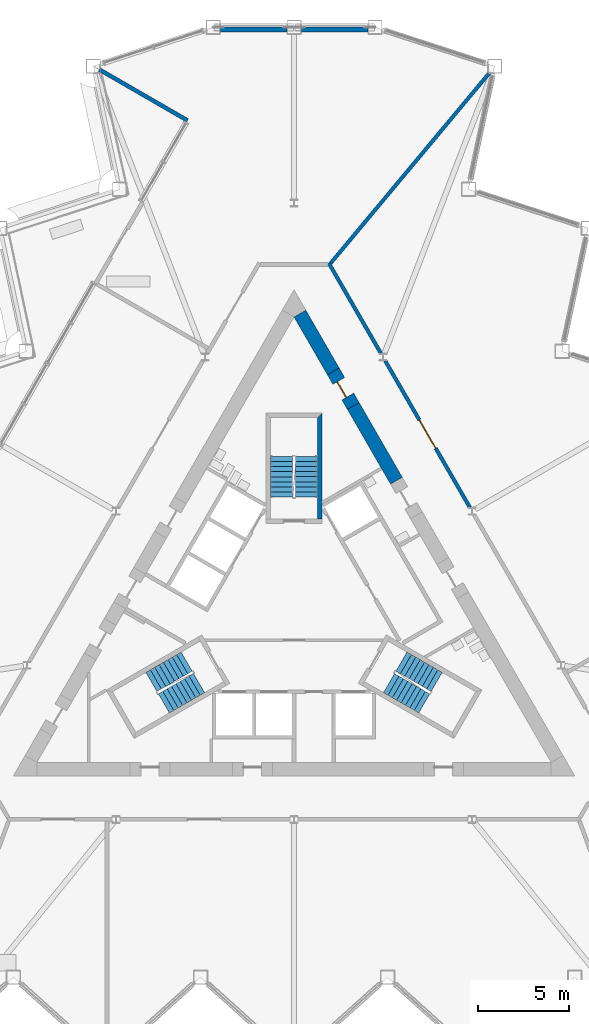
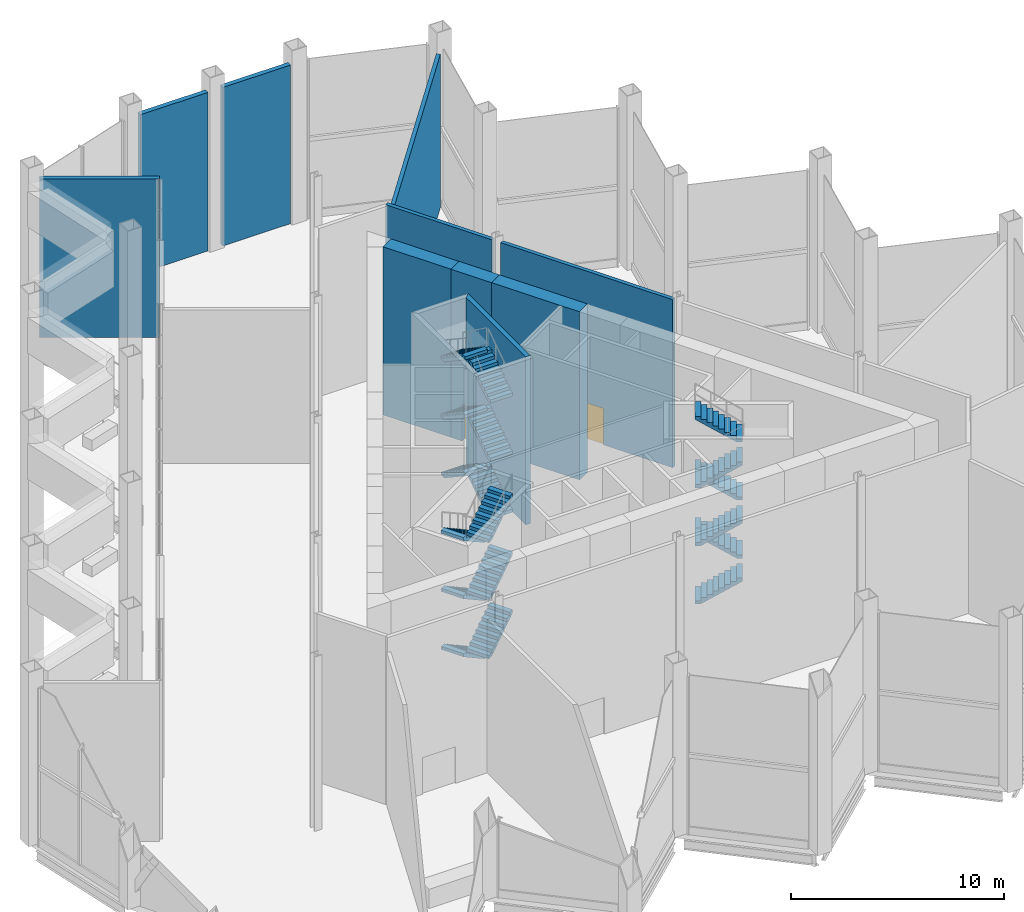
# One storey, part 11 of 18: 18 stair flights, 10 walls, 2 doors, 2 openings, 3 elements without a shape of their own.
"""IFC4 building model written with IfcOpenShell, lengths in metres."""

from ifc_helpers import new_model, si_unit, direction, frame, frame_2d, origin, place, context, subcontext, project, spatial, polyline, rectangle, outline, extrude, material, layer, layer_set, type_object, element, fill, aggregate, save


model = new_model("IFC4")

# Units and contexts
model_context = context("Model", 3, precision=1e-05, world=origin(), true_north=direction((0.0, 1.0)))
body_context = subcontext(model_context, "Body", "Model", "MODEL_VIEW")
ifc_project = project(units=[si_unit("LENGTHUNIT", "METRE"), si_unit("AREAUNIT", "SQUARE_METRE"), si_unit("VOLUMEUNIT", "CUBIC_METRE"), si_unit("PLANEANGLEUNIT", "RADIAN"), si_unit("MASSUNIT", "GRAM", prefix="KILO")], contexts=[model_context])

# Site, building, storey
site_placement = place(None, origin())
site = spatial("IfcSite", under=ifc_project, at=site_placement, CompositionType="ELEMENT")
building_placement = place(site_placement, origin())
building = spatial("IfcBuilding", under=site, at=building_placement, Name="Cormorant Prow Tower", CompositionType="ELEMENT")
storey_placement = place(building_placement, frame((0.0, 0.0, 216.0)))
storey = spatial("IfcBuildingStorey", under=building, at=storey_placement, Name="L48", CompositionType="ELEMENT", Elevation=216.0)

# Walls
ifc_material_1 = material(Name="Concrete 8000 psi", Category="concrete")
ifc_layer_1 = layer(ifc_material_1, 0.75)
ifc_layer_set_1 = layer_set([ifc_layer_1], Name="Concrete 8000 psi")
wall_type_1 = type_object("IfcWallType", Name="Core shear wall 750", PredefinedType="SHEAR", material=ifc_layer_set_1)
wall_1_placement = place(storey_placement, frame((5.654052734375, 7.354736328125, 0.0), z_axis=(0.0, 0.0, 1.0), x_axis=(-0.4999705729, 0.866042392862, 0.0)))
element("IfcWall", 1, at=wall_1_placement, inside=storey, type_object=wall_type_1, Name="Core wall", PredefinedType="SHEAR", context=body_context, shape_type="SweptSolid", body=[
    extrude(rectangle(XDim=4.769775390625, YDim=0.75, at=frame_2d((2.384765625, 0.0))), origin(), (0.0, 0.0, 1.0), 9.64990234375),
])
wall_2_placement = place(storey_placement, frame((2.169189453125, 13.390869140625, 0.0), z_axis=(0.0, 0.0, 1.0), x_axis=(-0.500018451642, 0.866014750462, 0.0)))
element("IfcWall", 2, at=wall_2_placement, inside=storey, type_object=wall_type_1, Name="Core wall", PredefinedType="SHEAR", context=body_context, shape_type="SweptSolid", body=[
    extrude(rectangle(XDim=3.688720703125, YDim=0.75, at=frame_2d((1.84423828125, 0.0))), origin(), (0.0, 0.0, 1.0), 9.64990234375),
])

# Wall, opening, door
wall_3_placement = place(storey_placement, frame((3.269287109375, 11.485595703125, 0.0), z_axis=(0.0, 0.0, 1.0), x_axis=(-0.50002983664, 0.866008176907, 0.0)))
wall_3 = element("IfcWall", 3, at=wall_3_placement, inside=storey, type_object=wall_type_1, Name="Core wall door panel", PredefinedType="SHEAR", context=body_context, shape_type="SweptSolid", body=[
    extrude(rectangle(XDim=2.199951171875, YDim=0.75, at=frame_2d((1.10009765625, 0.0))), origin(), (0.0, 0.0, 1.0), 9.64990234375),
])
opening_1_placement = place(wall_3_placement, frame((0.60009765625, 0.0, 0.0)))
opening_1 = element("IfcOpeningElement", 4, at=opening_1_placement, cuts=wall_3, Name="Opening L48-C20", PredefinedType="OPENING", context=body_context, shape_type="SweptSolid", body=[
    extrude(rectangle(XDim=1.0, YDim=2.10009765625, at=frame_2d((0.5, 1.050048828125))), frame((0.0, 0.385009765625, 0.0), z_axis=(0.0, -1.0, 0.0), x_axis=(1.0, 0.0, 0.0)), (0.0, 0.0, 1.0), 0.77001953125),
])
ifc_material_2 = material(Name="Painted steel", Category="steel")
door_type_1 = type_object("IfcDoorType", Name="Service door 1000x2100", OperationType="NOTDEFINED", PredefinedType="DOOR", material=ifc_material_2)
door_1_placement = place(opening_1_placement, origin())
door_1 = element("IfcDoor", 5, at=door_1_placement, inside=storey, type_object=door_type_1, Name="Core door, Toilets (women) L48", OperationType="SINGLE_SWING_LEFT", OverallHeight=2.10009765625, OverallWidth=1.0, PredefinedType="DOOR", context=body_context, shape_type="SweptSolid", body=[
    extrude(rectangle(XDim=1.0, YDim=2.10009765625, at=frame_2d((0.5, 1.050048828125))), frame((0.0, 0.1298828125, 0.0), z_axis=(0.0, -1.0, 0.0), x_axis=(1.0, 0.0, 0.0)), (0.0, 0.0, 1.0), 0.050048828125),
])
fill(opening_1, door_1)

ifc_material_3 = material(Name="Gypsum board corridor wall")
ifc_layer_2 = layer(ifc_material_3, 0.199951171875)
ifc_layer_set_2 = layer_set([ifc_layer_2], Name="Gypsum board corridor wall")
wall_type_2 = type_object("IfcWallType", Name="Corridor wall 200", PredefinedType="PARTITIONING", material=ifc_layer_set_2)
wall_4_placement = place(storey_placement, frame((5.03759765625, 13.972412109375, 0.0), z_axis=(0.0, 0.0, 1.0), x_axis=(0.50000393355, -0.866023132736, 0.0)))
wall_4 = element("IfcWall", 6, at=wall_4_placement, inside=storey, type_object=wall_type_2, Name="Corridor wall", PredefinedType="PARTITIONING", context=body_context, shape_type="SweptSolid", body=[
    extrude(rectangle(XDim=9.3349609375, YDim=0.199951171875, at=frame_2d((4.66748046875, 0.0))), origin(), (0.0, 0.0, 1.0), 9.64990234375),
])
opening_2_placement = place(wall_4_placement, frame((3.767578125, 0.0, 0.0)))
opening_2 = element("IfcOpeningElement", 7, at=opening_2_placement, cuts=wall_4, Name="Opening L48-F05", PredefinedType="OPENING", context=body_context, shape_type="SweptSolid", body=[
    extrude(rectangle(XDim=1.800048828125, YDim=2.10009765625, at=frame_2d((0.89990234375, 1.050048828125))), frame((0.0, 0.10986328125, 0.0), z_axis=(0.0, -1.0, 0.0), x_axis=(1.0, 0.0, 0.0)), (0.0, 0.0, 1.0), 0.219970703125),
])
ifc_material_4 = material(Name="Timber door leaf", Category="wood")
door_type_2 = type_object("IfcDoorType", Name="Double door 1800x2100", OperationType="DOUBLE_DOOR_SINGLE_SWING", PredefinedType="DOOR", material=ifc_material_4)
door_2_placement = place(opening_2_placement, origin())
door_2 = element("IfcDoor", 8, at=door_2_placement, inside=storey, type_object=door_type_2, Name="Executive suites door", OperationType="DOUBLE_DOOR_SINGLE_SWING", OverallHeight=2.10009765625, OverallWidth=1.800048828125, PredefinedType="DOOR", context=body_context, shape_type="SweptSolid", body=[
    extrude(rectangle(XDim=1.800048828125, YDim=2.10009765625, at=frame_2d((0.89990234375, 1.050048828125))), frame((0.0, 0.02490234375, 0.0), z_axis=(0.0, -1.0, 0.0), x_axis=(1.0, 0.0, 0.0)), (0.0, 0.0, 1.0), 0.050048828125),
])
fill(opening_2, door_2)

# Walls
wall_5_placement = place(storey_placement, frame((1.9130859375, 19.384521484375, 0.0), z_axis=(0.0, 0.0, 1.0), x_axis=(0.50000762079, -0.866021003874, 0.0)))
element("IfcWall", 9, at=wall_5_placement, inside=storey, type_object=wall_type_2, Name="Corridor wall", PredefinedType="PARTITIONING", context=body_context, shape_type="SweptSolid", body=[
    extrude(rectangle(XDim=5.755859375, YDim=0.199951171875, at=frame_2d((2.8779296875, 0.0))), origin(), (0.0, 0.0, 1.0), 9.64990234375),
])
ifc_material_5 = material(Name="Gypsum board demising wall")
ifc_layer_3 = layer(ifc_material_5, 0.199951171875)
ifc_layer_set_3 = layer_set([ifc_layer_3], Name="Gypsum board demising wall")
wall_type_3 = type_object("IfcWallType", Name="Demising wall 200", PredefinedType="PARTITIONING", material=ifc_layer_set_3)
wall_6_placement = place(storey_placement, frame((2.027099609375, 19.37451171875, 0.0), z_axis=(0.0, 0.0, 1.0), x_axis=(0.640645811519, 0.767836534806, 0.0)))
element("IfcWall", 10, at=wall_6_placement, inside=storey, type_object=wall_type_3, Name="Demising wall", PredefinedType="PARTITIONING", context=body_context, shape_type="SweptSolid", body=[
    extrude(rectangle(XDim=13.632080078125, YDim=0.199951171875, at=frame_2d((6.81591796875, 0.0))), origin(), (0.0, 0.0, 1.0), 8.80419921875),
])
ifc_material_6 = material(Name="Concrete 8000 psi", Category="concrete")
ifc_layer_4 = layer(ifc_material_6, 0.25)
ifc_layer_set_4 = layer_set([ifc_layer_4], Name="Concrete 8000 psi")
wall_type_4 = type_object("IfcWallType", Name="Stair wall 250", PredefinedType="SHEAR", material=ifc_layer_set_4)
wall_7_placement = place(storey_placement, origin())
element("IfcWall", 11, at=wall_7_placement, inside=storey, type_object=wall_type_4, Name="Stair ST3 enclosure wall (flank)", PredefinedType="SHEAR", context=body_context, shape_type="SweptSolid", body=[
    extrude(outline(polyline([(1.5439453125, 5.23681640625), (1.5439453125, 11.0869140625), (1.2939453125, 10.8369140625), (1.2939453125, 5.23681640625), (1.5439453125, 5.23681640625)])), origin(), (0.0, 0.0, 1.0), 9.64990234375),
])
ifc_material_7 = material(Name="Terracotta", Category="masonry")
ifc_layer_5 = layer(ifc_material_7, 0.25)
ifc_layer_set_5 = layer_set([ifc_layer_5], Name="Terracotta")
wall_type_5 = type_object("IfcWallType", Name="Terracotta bay wall 250", PredefinedType="SOLIDWALL", material=ifc_layer_set_5)
for number, where, z_axis, x_axis, name in (
    (12, (4.0703125, 32.2744140625, 0.0), (0.0, 0.0, 1.0), (-1.0, 0.0, 0.0), "Terracotta bay wall N00"),
    (13, (-0.39990234375, 32.2744140625, 0.0), (0.0, 0.0, 1.0), (-1.0, 0.0, 0.0), "Terracotta bay wall N01"),
):
    element("IfcWall", number, at=place(storey_placement, frame(where, z_axis=z_axis, x_axis=x_axis)), inside=storey, type_object=wall_type_5, Name=name, PredefinedType="SOLIDWALL", context=body_context, shape_type="SweptSolid", body=[
        extrude(rectangle(XDim=3.67041015625, YDim=0.25, at=frame_2d((1.835205078125, 0.0))), origin(), (0.0, 0.0, 1.0), 9.100830078125),
    ])
ifc_material_8 = material(Name="Terracotta", Category="masonry")
ifc_layer_6 = layer(ifc_material_8, 0.219970703125)
ifc_layer_set_6 = layer_set([ifc_layer_6], Name="Terracotta")
wall_type_6 = type_object("IfcWallType", Name="Terracotta loggia wall 220", PredefinedType="SOLIDWALL", material=ifc_layer_set_6)
wall_8_placement = place(storey_placement, frame((-10.7509765625, 30.06201171875, 0.0), z_axis=(0.0, 0.0, 1.0), x_axis=(0.866015577098, -0.500017019934, 0.0)))
element("IfcWall", 14, at=wall_8_placement, inside=storey, type_object=wall_type_6, Name="Terracotta loggia return WNW west", PredefinedType="SOLIDWALL", context=body_context, shape_type="SweptSolid", body=[
    extrude(rectangle(XDim=5.619873046875, YDim=0.219970703125, at=frame_2d((2.81005859375, 0.0))), origin(), (0.0, 0.0, 1.0), 9.100830078125),
])

# Stair, stair flights
ifc_material_9 = material(Name="Exit stair 54 risers")
stair_type = type_object("IfcStairType", Name="Exit stair 54 risers", PredefinedType="HALF_TURN_STAIR", material=ifc_material_9)
stair_1_placement = place(storey_placement, origin())
stair_1 = element("IfcStair", 15, at=stair_1_placement, inside=storey, type_object=stair_type, Name="L48 Exit stair ST1", PredefinedType="HALF_TURN_STAIR")
ifc_material_10 = material(Name="Concrete 5000 psi", Category="concrete")
stair_flight_type = type_object("IfcStairFlightType", Name="Stair flight 1219", PredefinedType="STRAIGHT", material=ifc_material_10)
stair_flight_1_placement = place(storey_placement, frame((-5.93310546875, -2.635009765625, 0.0), z_axis=(0.0, 0.0, 1.0), x_axis=(-0.866025403784, -0.5, 0.0)))
stair_flight_1 = element("IfcStairFlight", 16, at=stair_flight_1_placement, type_object=stair_flight_type, Name="ST1 flight 1", NumberOfRisers=9, NumberOfTreads=8, PredefinedType="STRAIGHT", RiserHeight=0.185185185, TreadLength=0.28, context=body_context, shape_type="SweptSolid", body=[
    extrude(outline(polyline([(0.0, 0.0), (0.0, 0.185302734375), (0.280029296875, 0.185302734375), (0.280029296875, 0.370361328125), (0.56005859375, 0.370361328125), (0.56005859375, 0.5556640625), (0.840087890625, 0.5556640625), (0.840087890625, 0.74072265625), (1.1201171875, 0.74072265625), (1.1201171875, 0.926025390625), (1.39990234375, 0.926025390625), (1.39990234375, 1.111083984375), (1.679931640625, 1.111083984375), (1.679931640625, 1.29638671875), (1.9599609375, 1.29638671875), (1.9599609375, 1.4814453125), (2.239990234375, 1.4814453125), (2.239990234375, 1.666748046875), (2.239990234375, 1.3017578125), (0.271728515625, 0.0), (0.0, 0.0)])), frame((0.0, 0.609375, 0.0), z_axis=(0.0, -1.0, 0.0), x_axis=(1.0, 0.0, 0.0)), (0.0, 0.0, 1.0), 1.218994140625),
])
stair_flight_2_placement = place(storey_placement, frame((-7.1884765625, -4.940673828125, 1.666748046875), z_axis=(0.0, 0.0, 1.0), x_axis=(0.866025403784, 0.5, 0.0)))
stair_flight_2 = element("IfcStairFlight", 17, at=stair_flight_2_placement, type_object=stair_flight_type, Name="ST1 flight 2", NumberOfRisers=9, NumberOfTreads=8, PredefinedType="STRAIGHT", RiserHeight=0.185185185, TreadLength=0.28, context=body_context, shape_type="SweptSolid", body=[
    extrude(outline(polyline([(0.0, 0.0), (0.0, 0.185302734375), (0.280029296875, 0.185302734375), (0.280029296875, 0.370361328125), (0.56005859375, 0.370361328125), (0.56005859375, 0.5556640625), (0.840087890625, 0.5556640625), (0.840087890625, 0.74072265625), (1.1201171875, 0.74072265625), (1.1201171875, 0.926025390625), (1.39990234375, 0.926025390625), (1.39990234375, 1.111083984375), (1.679931640625, 1.111083984375), (1.679931640625, 1.29638671875), (1.9599609375, 1.29638671875), (1.9599609375, 1.4814453125), (2.239990234375, 1.4814453125), (2.239990234375, 1.666748046875), (2.239990234375, 1.3017578125), (0.271728515625, 0.0), (0.0, 0.0)])), frame((0.0, 0.609375, 0.0), z_axis=(0.0, -1.0, 0.0), x_axis=(1.0, 0.0, 0.0)), (0.0, 0.0, 1.0), 1.218994140625),
])
stair_flight_3_placement = place(storey_placement, frame((-5.93310546875, -2.635009765625, 3.333251953125), z_axis=(0.0, 0.0, 1.0), x_axis=(-0.866025403784, -0.5, 0.0)))
stair_flight_3 = element("IfcStairFlight", 18, at=stair_flight_3_placement, type_object=stair_flight_type, Name="ST1 flight 3", NumberOfRisers=9, NumberOfTreads=8, PredefinedType="STRAIGHT", RiserHeight=0.185185185, TreadLength=0.28, context=body_context, shape_type="SweptSolid", body=[
    extrude(outline(polyline([(0.0, 0.0), (0.0, 0.185302734375), (0.280029296875, 0.185302734375), (0.280029296875, 0.370361328125), (0.56005859375, 0.370361328125), (0.56005859375, 0.5556640625), (0.840087890625, 0.5556640625), (0.840087890625, 0.74072265625), (1.1201171875, 0.74072265625), (1.1201171875, 0.926025390625), (1.39990234375, 0.926025390625), (1.39990234375, 1.111083984375), (1.679931640625, 1.111083984375), (1.679931640625, 1.29638671875), (1.9599609375, 1.29638671875), (1.9599609375, 1.4814453125), (2.239990234375, 1.4814453125), (2.239990234375, 1.666748046875), (2.239990234375, 1.3017578125), (0.271728515625, 0.0), (0.0, 0.0)])), frame((0.0, 0.609375, 0.0), z_axis=(0.0, -1.0, 0.0), x_axis=(1.0, 0.0, 0.0)), (0.0, 0.0, 1.0), 1.218994140625),
])
stair_flight_4_placement = place(storey_placement, frame((-7.1884765625, -4.940673828125, 5.0), z_axis=(0.0, 0.0, 1.0), x_axis=(0.866025403784, 0.5, 0.0)))
stair_flight_4 = element("IfcStairFlight", 19, at=stair_flight_4_placement, type_object=stair_flight_type, Name="ST1 flight 4", NumberOfRisers=9, NumberOfTreads=8, PredefinedType="STRAIGHT", RiserHeight=0.185185185, TreadLength=0.28, context=body_context, shape_type="SweptSolid", body=[
    extrude(outline(polyline([(0.0, 0.0), (0.0, 0.185302734375), (0.280029296875, 0.185302734375), (0.280029296875, 0.370361328125), (0.56005859375, 0.370361328125), (0.56005859375, 0.5556640625), (0.840087890625, 0.5556640625), (0.840087890625, 0.74072265625), (1.1201171875, 0.74072265625), (1.1201171875, 0.926025390625), (1.39990234375, 0.926025390625), (1.39990234375, 1.111083984375), (1.679931640625, 1.111083984375), (1.679931640625, 1.29638671875), (1.9599609375, 1.29638671875), (1.9599609375, 1.4814453125), (2.239990234375, 1.4814453125), (2.239990234375, 1.666748046875), (2.239990234375, 1.3017578125), (0.271728515625, 0.0), (0.0, 0.0)])), frame((0.0, 0.609375, 0.0), z_axis=(0.0, -1.0, 0.0), x_axis=(1.0, 0.0, 0.0)), (0.0, 0.0, 1.0), 1.218994140625),
])
stair_flight_5_placement = place(storey_placement, frame((-5.93310546875, -2.635009765625, 6.666748046875), z_axis=(0.0, 0.0, 1.0), x_axis=(-0.866025403784, -0.5, 0.0)))
stair_flight_5 = element("IfcStairFlight", 20, at=stair_flight_5_placement, type_object=stair_flight_type, Name="ST1 flight 5", NumberOfRisers=9, NumberOfTreads=8, PredefinedType="STRAIGHT", RiserHeight=0.185185185, TreadLength=0.28, context=body_context, shape_type="SweptSolid", body=[
    extrude(outline(polyline([(0.0, 0.0), (0.0, 0.185302734375), (0.280029296875, 0.185302734375), (0.280029296875, 0.370361328125), (0.56005859375, 0.370361328125), (0.56005859375, 0.5556640625), (0.840087890625, 0.5556640625), (0.840087890625, 0.74072265625), (1.1201171875, 0.74072265625), (1.1201171875, 0.926025390625), (1.39990234375, 0.926025390625), (1.39990234375, 1.111083984375), (1.679931640625, 1.111083984375), (1.679931640625, 1.29638671875), (1.9599609375, 1.29638671875), (1.9599609375, 1.4814453125), (2.239990234375, 1.4814453125), (2.239990234375, 1.666748046875), (2.239990234375, 1.3017578125), (0.271728515625, 0.0), (0.0, 0.0)])), frame((0.0, 0.609375, 0.0), z_axis=(0.0, -1.0, 0.0), x_axis=(1.0, 0.0, 0.0)), (0.0, 0.0, 1.0), 1.218994140625),
])
stair_flight_6_placement = place(storey_placement, frame((-7.1884765625, -4.940673828125, 8.333251953125), z_axis=(0.0, 0.0, 1.0), x_axis=(0.866025403784, 0.5, 0.0)))
stair_flight_6 = element("IfcStairFlight", 21, at=stair_flight_6_placement, type_object=stair_flight_type, Name="ST1 flight 6", NumberOfRisers=9, NumberOfTreads=8, PredefinedType="STRAIGHT", RiserHeight=0.185185185, TreadLength=0.28, context=body_context, shape_type="SweptSolid", body=[
    extrude(outline(polyline([(0.0, 0.0), (0.0, 0.185302734375), (0.280029296875, 0.185302734375), (0.280029296875, 0.370361328125), (0.56005859375, 0.370361328125), (0.56005859375, 0.5556640625), (0.840087890625, 0.5556640625), (0.840087890625, 0.74072265625), (1.1201171875, 0.74072265625), (1.1201171875, 0.926025390625), (1.39990234375, 0.926025390625), (1.39990234375, 1.111083984375), (1.679931640625, 1.111083984375), (1.679931640625, 1.29638671875), (1.9599609375, 1.29638671875), (1.9599609375, 1.4814453125), (2.239990234375, 1.4814453125), (2.239990234375, 1.666748046875), (2.239990234375, 1.3017578125), (0.271728515625, 0.0), (0.0, 0.0)])), frame((0.0, 0.609375, 0.0), z_axis=(0.0, -1.0, 0.0), x_axis=(1.0, 0.0, 0.0)), (0.0, 0.0, 1.0), 1.218994140625),
])
aggregate(stair_1, [stair_flight_1, stair_flight_2, stair_flight_3, stair_flight_4, stair_flight_5, stair_flight_6])

stair_2_placement = place(storey_placement, origin())
stair_2 = element("IfcStair", 22, at=stair_2_placement, inside=storey, type_object=stair_type, Name="L48 Exit stair ST2", PredefinedType="HALF_TURN_STAIR")
stair_flight_7_placement = place(storey_placement, frame((5.24853515625, -3.82080078125, 0.0), z_axis=(0.0, 0.0, 1.0), x_axis=(0.866025403784, -0.5, 0.0)))
stair_flight_7 = element("IfcStairFlight", 23, at=stair_flight_7_placement, type_object=stair_flight_type, Name="ST2 flight 1", NumberOfRisers=9, NumberOfTreads=8, PredefinedType="STRAIGHT", RiserHeight=0.185185185, TreadLength=0.28, context=body_context, shape_type="SweptSolid", body=[
    extrude(outline(polyline([(0.0, 0.0), (0.0, 0.185302734375), (0.280029296875, 0.185302734375), (0.280029296875, 0.370361328125), (0.56005859375, 0.370361328125), (0.56005859375, 0.5556640625), (0.840087890625, 0.5556640625), (0.840087890625, 0.74072265625), (1.1201171875, 0.74072265625), (1.1201171875, 0.926025390625), (1.39990234375, 0.926025390625), (1.39990234375, 1.111083984375), (1.679931640625, 1.111083984375), (1.679931640625, 1.29638671875), (1.9599609375, 1.29638671875), (1.9599609375, 1.4814453125), (2.239990234375, 1.4814453125), (2.239990234375, 1.666748046875), (2.239990234375, 1.3017578125), (0.271728515625, 0.0), (0.0, 0.0)])), frame((0.0, 0.609375, 0.0), z_axis=(0.0, -1.0, 0.0), x_axis=(1.0, 0.0, 0.0)), (0.0, 0.0, 1.0), 1.218994140625),
])
stair_flight_8_placement = place(storey_placement, frame((7.873046875, -3.755126953125, 1.666748046875), z_axis=(0.0, 0.0, 1.0), x_axis=(-0.866025403784, 0.5, 0.0)))
stair_flight_8 = element("IfcStairFlight", 24, at=stair_flight_8_placement, type_object=stair_flight_type, Name="ST2 flight 2", NumberOfRisers=9, NumberOfTreads=8, PredefinedType="STRAIGHT", RiserHeight=0.185185185, TreadLength=0.28, context=body_context, shape_type="SweptSolid", body=[
    extrude(outline(polyline([(0.0, 0.0), (0.0, 0.185302734375), (0.280029296875, 0.185302734375), (0.280029296875, 0.370361328125), (0.56005859375, 0.370361328125), (0.56005859375, 0.5556640625), (0.840087890625, 0.5556640625), (0.840087890625, 0.74072265625), (1.1201171875, 0.74072265625), (1.1201171875, 0.926025390625), (1.39990234375, 0.926025390625), (1.39990234375, 1.111083984375), (1.679931640625, 1.111083984375), (1.679931640625, 1.29638671875), (1.9599609375, 1.29638671875), (1.9599609375, 1.4814453125), (2.239990234375, 1.4814453125), (2.239990234375, 1.666748046875), (2.239990234375, 1.3017578125), (0.271728515625, 0.0), (0.0, 0.0)])), frame((0.0, 0.609375, 0.0), z_axis=(0.0, -1.0, 0.0), x_axis=(1.0, 0.0, 0.0)), (0.0, 0.0, 1.0), 1.218994140625),
])
stair_flight_9_placement = place(storey_placement, frame((5.24853515625, -3.82080078125, 3.333251953125), z_axis=(0.0, 0.0, 1.0), x_axis=(0.866025403784, -0.5, 0.0)))
stair_flight_9 = element("IfcStairFlight", 25, at=stair_flight_9_placement, type_object=stair_flight_type, Name="ST2 flight 3", NumberOfRisers=9, NumberOfTreads=8, PredefinedType="STRAIGHT", RiserHeight=0.185185185, TreadLength=0.28, context=body_context, shape_type="SweptSolid", body=[
    extrude(outline(polyline([(0.0, 0.0), (0.0, 0.185302734375), (0.280029296875, 0.185302734375), (0.280029296875, 0.370361328125), (0.56005859375, 0.370361328125), (0.56005859375, 0.5556640625), (0.840087890625, 0.5556640625), (0.840087890625, 0.74072265625), (1.1201171875, 0.74072265625), (1.1201171875, 0.926025390625), (1.39990234375, 0.926025390625), (1.39990234375, 1.111083984375), (1.679931640625, 1.111083984375), (1.679931640625, 1.29638671875), (1.9599609375, 1.29638671875), (1.9599609375, 1.4814453125), (2.239990234375, 1.4814453125), (2.239990234375, 1.666748046875), (2.239990234375, 1.3017578125), (0.271728515625, 0.0), (0.0, 0.0)])), frame((0.0, 0.609375, 0.0), z_axis=(0.0, -1.0, 0.0), x_axis=(1.0, 0.0, 0.0)), (0.0, 0.0, 1.0), 1.218994140625),
])
stair_flight_10_placement = place(storey_placement, frame((7.873046875, -3.755126953125, 5.0), z_axis=(0.0, 0.0, 1.0), x_axis=(-0.866025403784, 0.5, 0.0)))
stair_flight_10 = element("IfcStairFlight", 26, at=stair_flight_10_placement, type_object=stair_flight_type, Name="ST2 flight 4", NumberOfRisers=9, NumberOfTreads=8, PredefinedType="STRAIGHT", RiserHeight=0.185185185, TreadLength=0.28, context=body_context, shape_type="SweptSolid", body=[
    extrude(outline(polyline([(0.0, 0.0), (0.0, 0.185302734375), (0.280029296875, 0.185302734375), (0.280029296875, 0.370361328125), (0.56005859375, 0.370361328125), (0.56005859375, 0.5556640625), (0.840087890625, 0.5556640625), (0.840087890625, 0.74072265625), (1.1201171875, 0.74072265625), (1.1201171875, 0.926025390625), (1.39990234375, 0.926025390625), (1.39990234375, 1.111083984375), (1.679931640625, 1.111083984375), (1.679931640625, 1.29638671875), (1.9599609375, 1.29638671875), (1.9599609375, 1.4814453125), (2.239990234375, 1.4814453125), (2.239990234375, 1.666748046875), (2.239990234375, 1.3017578125), (0.271728515625, 0.0), (0.0, 0.0)])), frame((0.0, 0.609375, 0.0), z_axis=(0.0, -1.0, 0.0), x_axis=(1.0, 0.0, 0.0)), (0.0, 0.0, 1.0), 1.218994140625),
])
stair_flight_11_placement = place(storey_placement, frame((5.24853515625, -3.82080078125, 6.666748046875), z_axis=(0.0, 0.0, 1.0), x_axis=(0.866025403784, -0.5, 0.0)))
stair_flight_11 = element("IfcStairFlight", 27, at=stair_flight_11_placement, type_object=stair_flight_type, Name="ST2 flight 5", NumberOfRisers=9, NumberOfTreads=8, PredefinedType="STRAIGHT", RiserHeight=0.185185185, TreadLength=0.28, context=body_context, shape_type="SweptSolid", body=[
    extrude(outline(polyline([(0.0, 0.0), (0.0, 0.185302734375), (0.280029296875, 0.185302734375), (0.280029296875, 0.370361328125), (0.56005859375, 0.370361328125), (0.56005859375, 0.5556640625), (0.840087890625, 0.5556640625), (0.840087890625, 0.74072265625), (1.1201171875, 0.74072265625), (1.1201171875, 0.926025390625), (1.39990234375, 0.926025390625), (1.39990234375, 1.111083984375), (1.679931640625, 1.111083984375), (1.679931640625, 1.29638671875), (1.9599609375, 1.29638671875), (1.9599609375, 1.4814453125), (2.239990234375, 1.4814453125), (2.239990234375, 1.666748046875), (2.239990234375, 1.3017578125), (0.271728515625, 0.0), (0.0, 0.0)])), frame((0.0, 0.609375, 0.0), z_axis=(0.0, -1.0, 0.0), x_axis=(1.0, 0.0, 0.0)), (0.0, 0.0, 1.0), 1.218994140625),
])
stair_flight_12_placement = place(storey_placement, frame((7.873046875, -3.755126953125, 8.333251953125), z_axis=(0.0, 0.0, 1.0), x_axis=(-0.866025403784, 0.5, 0.0)))
stair_flight_12 = element("IfcStairFlight", 28, at=stair_flight_12_placement, type_object=stair_flight_type, Name="ST2 flight 6", NumberOfRisers=9, NumberOfTreads=8, PredefinedType="STRAIGHT", RiserHeight=0.185185185, TreadLength=0.28, context=body_context, shape_type="SweptSolid", body=[
    extrude(outline(polyline([(0.0, 0.0), (0.0, 0.185302734375), (0.280029296875, 0.185302734375), (0.280029296875, 0.370361328125), (0.56005859375, 0.370361328125), (0.56005859375, 0.5556640625), (0.840087890625, 0.5556640625), (0.840087890625, 0.74072265625), (1.1201171875, 0.74072265625), (1.1201171875, 0.926025390625), (1.39990234375, 0.926025390625), (1.39990234375, 1.111083984375), (1.679931640625, 1.111083984375), (1.679931640625, 1.29638671875), (1.9599609375, 1.29638671875), (1.9599609375, 1.4814453125), (2.239990234375, 1.4814453125), (2.239990234375, 1.666748046875), (2.239990234375, 1.3017578125), (0.271728515625, 0.0), (0.0, 0.0)])), frame((0.0, 0.609375, 0.0), z_axis=(0.0, -1.0, 0.0), x_axis=(1.0, 0.0, 0.0)), (0.0, 0.0, 1.0), 1.218994140625),
])
aggregate(stair_2, [stair_flight_7, stair_flight_8, stair_flight_9, stair_flight_10, stair_flight_11, stair_flight_12])

stair_3_placement = place(storey_placement, origin())
stair_3 = element("IfcStair", 29, at=stair_3_placement, inside=storey, type_object=stair_type, Name="L48 Exit stair ST3", PredefinedType="HALF_TURN_STAIR")
stair_flight_13_placement = place(storey_placement, frame((0.6845703125, 6.455810546875, 0.0), z_axis=(0.0, 0.0, 1.0), x_axis=(0.0, 1.0, 0.0)))
stair_flight_13 = element("IfcStairFlight", 30, at=stair_flight_13_placement, type_object=stair_flight_type, Name="ST3 flight 1", NumberOfRisers=9, NumberOfTreads=8, PredefinedType="STRAIGHT", RiserHeight=0.185185185, TreadLength=0.28, context=body_context, shape_type="SweptSolid", body=[
    extrude(outline(polyline([(0.0, 0.0), (0.0, 0.185302734375), (0.280029296875, 0.185302734375), (0.280029296875, 0.370361328125), (0.56005859375, 0.370361328125), (0.56005859375, 0.5556640625), (0.840087890625, 0.5556640625), (0.840087890625, 0.74072265625), (1.1201171875, 0.74072265625), (1.1201171875, 0.926025390625), (1.39990234375, 0.926025390625), (1.39990234375, 1.111083984375), (1.679931640625, 1.111083984375), (1.679931640625, 1.29638671875), (1.9599609375, 1.29638671875), (1.9599609375, 1.4814453125), (2.239990234375, 1.4814453125), (2.239990234375, 1.666748046875), (2.239990234375, 1.3017578125), (0.271728515625, 0.0), (0.0, 0.0)])), frame((0.0, 0.609375, 0.0), z_axis=(0.0, -1.0, 0.0), x_axis=(1.0, 0.0, 0.0)), (0.0, 0.0, 1.0), 1.218994140625),
])
stair_flight_14_placement = place(storey_placement, frame((-0.6845703125, 8.69580078125, 1.666748046875), z_axis=(0.0, 0.0, 1.0), x_axis=(0.0, -1.0, 0.0)))
stair_flight_14 = element("IfcStairFlight", 31, at=stair_flight_14_placement, type_object=stair_flight_type, Name="ST3 flight 2", NumberOfRisers=9, NumberOfTreads=8, PredefinedType="STRAIGHT", RiserHeight=0.185185185, TreadLength=0.28, context=body_context, shape_type="SweptSolid", body=[
    extrude(outline(polyline([(0.0, 0.0), (0.0, 0.185302734375), (0.280029296875, 0.185302734375), (0.280029296875, 0.370361328125), (0.56005859375, 0.370361328125), (0.56005859375, 0.5556640625), (0.840087890625, 0.5556640625), (0.840087890625, 0.74072265625), (1.1201171875, 0.74072265625), (1.1201171875, 0.926025390625), (1.39990234375, 0.926025390625), (1.39990234375, 1.111083984375), (1.679931640625, 1.111083984375), (1.679931640625, 1.29638671875), (1.9599609375, 1.29638671875), (1.9599609375, 1.4814453125), (2.239990234375, 1.4814453125), (2.239990234375, 1.666748046875), (2.239990234375, 1.3017578125), (0.271728515625, 0.0), (0.0, 0.0)])), frame((0.0, 0.609375, 0.0), z_axis=(0.0, -1.0, 0.0), x_axis=(1.0, 0.0, 0.0)), (0.0, 0.0, 1.0), 1.218994140625),
])
stair_flight_15_placement = place(storey_placement, frame((0.6845703125, 6.455810546875, 3.333251953125), z_axis=(0.0, 0.0, 1.0), x_axis=(0.0, 1.0, 0.0)))
stair_flight_15 = element("IfcStairFlight", 32, at=stair_flight_15_placement, type_object=stair_flight_type, Name="ST3 flight 3", NumberOfRisers=9, NumberOfTreads=8, PredefinedType="STRAIGHT", RiserHeight=0.185185185, TreadLength=0.28, context=body_context, shape_type="SweptSolid", body=[
    extrude(outline(polyline([(0.0, 0.0), (0.0, 0.185302734375), (0.280029296875, 0.185302734375), (0.280029296875, 0.370361328125), (0.56005859375, 0.370361328125), (0.56005859375, 0.5556640625), (0.840087890625, 0.5556640625), (0.840087890625, 0.74072265625), (1.1201171875, 0.74072265625), (1.1201171875, 0.926025390625), (1.39990234375, 0.926025390625), (1.39990234375, 1.111083984375), (1.679931640625, 1.111083984375), (1.679931640625, 1.29638671875), (1.9599609375, 1.29638671875), (1.9599609375, 1.4814453125), (2.239990234375, 1.4814453125), (2.239990234375, 1.666748046875), (2.239990234375, 1.3017578125), (0.271728515625, 0.0), (0.0, 0.0)])), frame((0.0, 0.609375, 0.0), z_axis=(0.0, -1.0, 0.0), x_axis=(1.0, 0.0, 0.0)), (0.0, 0.0, 1.0), 1.218994140625),
])
stair_flight_16_placement = place(storey_placement, frame((-0.6845703125, 8.69580078125, 5.0), z_axis=(0.0, 0.0, 1.0), x_axis=(0.0, -1.0, 0.0)))
stair_flight_16 = element("IfcStairFlight", 33, at=stair_flight_16_placement, type_object=stair_flight_type, Name="ST3 flight 4", NumberOfRisers=9, NumberOfTreads=8, PredefinedType="STRAIGHT", RiserHeight=0.185185185, TreadLength=0.28, context=body_context, shape_type="SweptSolid", body=[
    extrude(outline(polyline([(0.0, 0.0), (0.0, 0.185302734375), (0.280029296875, 0.185302734375), (0.280029296875, 0.370361328125), (0.56005859375, 0.370361328125), (0.56005859375, 0.5556640625), (0.840087890625, 0.5556640625), (0.840087890625, 0.74072265625), (1.1201171875, 0.74072265625), (1.1201171875, 0.926025390625), (1.39990234375, 0.926025390625), (1.39990234375, 1.111083984375), (1.679931640625, 1.111083984375), (1.679931640625, 1.29638671875), (1.9599609375, 1.29638671875), (1.9599609375, 1.4814453125), (2.239990234375, 1.4814453125), (2.239990234375, 1.666748046875), (2.239990234375, 1.3017578125), (0.271728515625, 0.0), (0.0, 0.0)])), frame((0.0, 0.609375, 0.0), z_axis=(0.0, -1.0, 0.0), x_axis=(1.0, 0.0, 0.0)), (0.0, 0.0, 1.0), 1.218994140625),
])
stair_flight_17_placement = place(storey_placement, frame((0.6845703125, 6.455810546875, 6.666748046875), z_axis=(0.0, 0.0, 1.0), x_axis=(0.0, 1.0, 0.0)))
stair_flight_17 = element("IfcStairFlight", 34, at=stair_flight_17_placement, type_object=stair_flight_type, Name="ST3 flight 5", NumberOfRisers=9, NumberOfTreads=8, PredefinedType="STRAIGHT", RiserHeight=0.185185185, TreadLength=0.28, context=body_context, shape_type="SweptSolid", body=[
    extrude(outline(polyline([(0.0, 0.0), (0.0, 0.185302734375), (0.280029296875, 0.185302734375), (0.280029296875, 0.370361328125), (0.56005859375, 0.370361328125), (0.56005859375, 0.5556640625), (0.840087890625, 0.5556640625), (0.840087890625, 0.74072265625), (1.1201171875, 0.74072265625), (1.1201171875, 0.926025390625), (1.39990234375, 0.926025390625), (1.39990234375, 1.111083984375), (1.679931640625, 1.111083984375), (1.679931640625, 1.29638671875), (1.9599609375, 1.29638671875), (1.9599609375, 1.4814453125), (2.239990234375, 1.4814453125), (2.239990234375, 1.666748046875), (2.239990234375, 1.3017578125), (0.271728515625, 0.0), (0.0, 0.0)])), frame((0.0, 0.609375, 0.0), z_axis=(0.0, -1.0, 0.0), x_axis=(1.0, 0.0, 0.0)), (0.0, 0.0, 1.0), 1.218994140625),
])
stair_flight_18_placement = place(storey_placement, frame((-0.6845703125, 8.69580078125, 8.333251953125), z_axis=(0.0, 0.0, 1.0), x_axis=(0.0, -1.0, 0.0)))
stair_flight_18 = element("IfcStairFlight", 35, at=stair_flight_18_placement, type_object=stair_flight_type, Name="ST3 flight 6", NumberOfRisers=9, NumberOfTreads=8, PredefinedType="STRAIGHT", RiserHeight=0.185185185, TreadLength=0.28, context=body_context, shape_type="SweptSolid", body=[
    extrude(outline(polyline([(0.0, 0.0), (0.0, 0.185302734375), (0.280029296875, 0.185302734375), (0.280029296875, 0.370361328125), (0.56005859375, 0.370361328125), (0.56005859375, 0.5556640625), (0.840087890625, 0.5556640625), (0.840087890625, 0.74072265625), (1.1201171875, 0.74072265625), (1.1201171875, 0.926025390625), (1.39990234375, 0.926025390625), (1.39990234375, 1.111083984375), (1.679931640625, 1.111083984375), (1.679931640625, 1.29638671875), (1.9599609375, 1.29638671875), (1.9599609375, 1.4814453125), (2.239990234375, 1.4814453125), (2.239990234375, 1.666748046875), (2.239990234375, 1.3017578125), (0.271728515625, 0.0), (0.0, 0.0)])), frame((0.0, 0.609375, 0.0), z_axis=(0.0, -1.0, 0.0), x_axis=(1.0, 0.0, 0.0)), (0.0, 0.0, 1.0), 1.218994140625),
])
aggregate(stair_3, [stair_flight_13, stair_flight_14, stair_flight_15, stair_flight_16, stair_flight_17, stair_flight_18])

save(model, "model.ifc")
